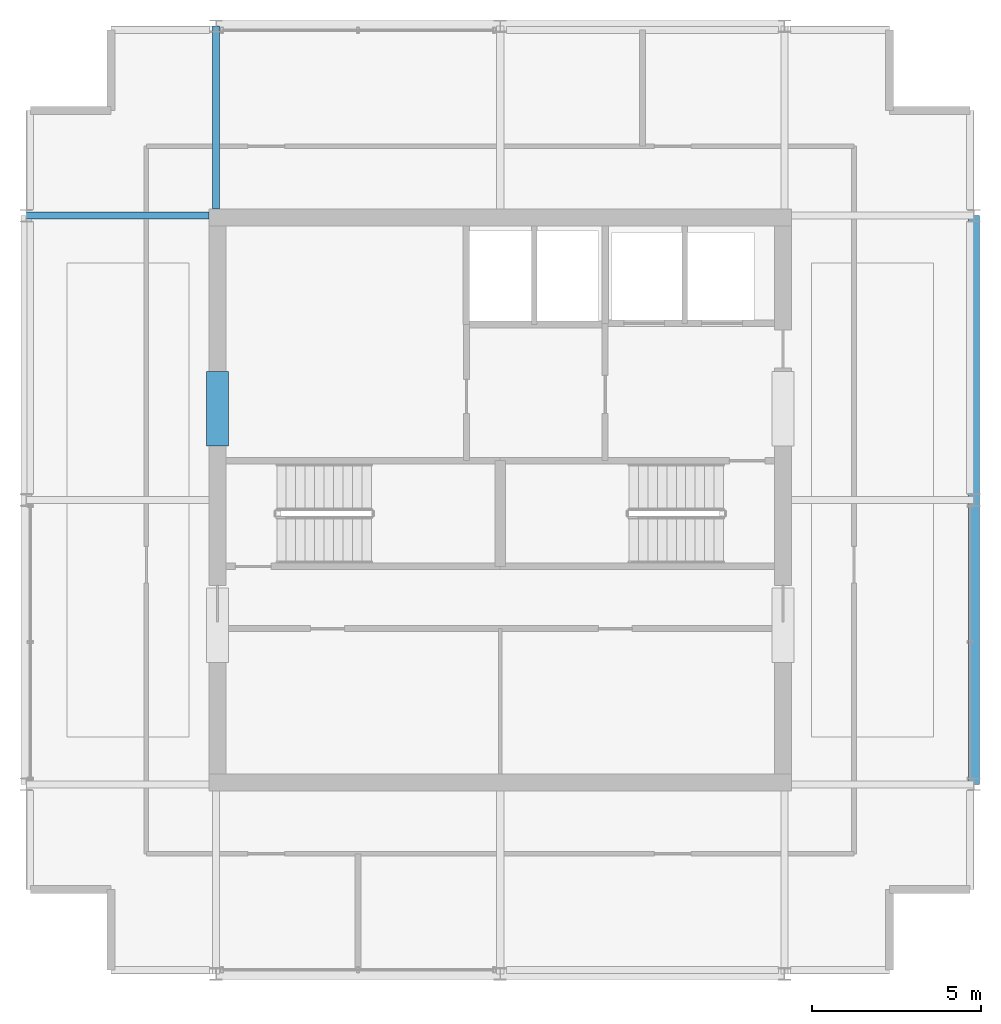
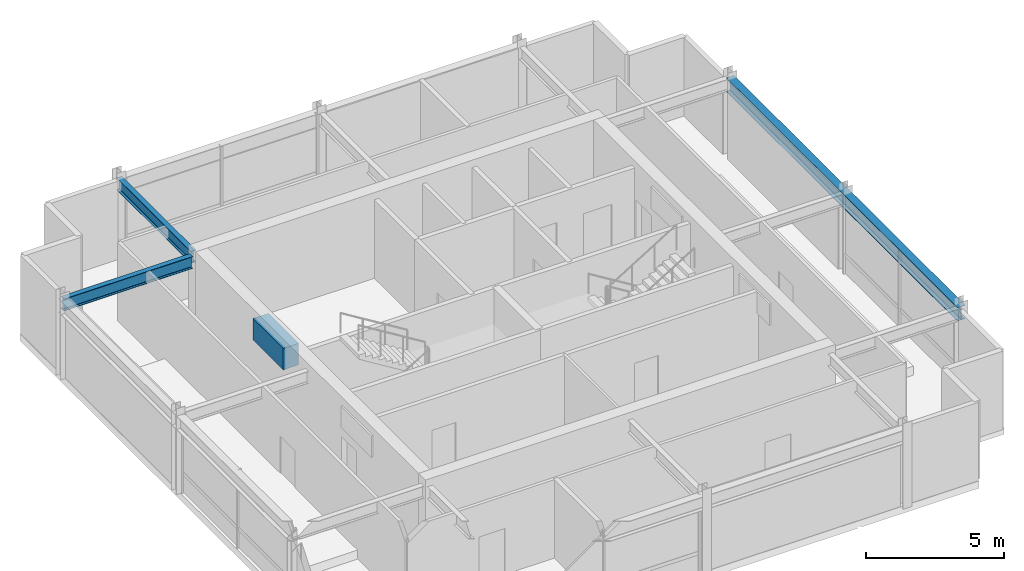
# One storey, part 7 of 12: 4 beams.
"""IFC4 building model written with IfcOpenShell, lengths in metres."""

from ifc_helpers import new_model, si_unit, direction, frame, origin, origin_2d, place, context, subcontext, project, spatial, rectangle, i_section, extrude, material, material_profile, profile_set, type_object, element, save


model = new_model("IFC4")

# Units and contexts
model_context = context("Model", 3, precision=1e-05, world=origin(), true_north=direction((0.0, 1.0)))
body_context = subcontext(model_context, "Body", "Model", "MODEL_VIEW")
ifc_project = project(units=[si_unit("LENGTHUNIT", "METRE"), si_unit("AREAUNIT", "SQUARE_METRE"), si_unit("VOLUMEUNIT", "CUBIC_METRE"), si_unit("PLANEANGLEUNIT", "RADIAN"), si_unit("MASSUNIT", "GRAM", prefix="KILO")], contexts=[model_context])

# Site, building, storey
site_placement = place(None, origin())
site = spatial("IfcSite", under=ifc_project, at=site_placement, CompositionType="ELEMENT")
building_placement = place(site_placement, origin())
building = spatial("IfcBuilding", under=site, at=building_placement, Name="Drelvath Grand Hotel", CompositionType="ELEMENT")
storey_placement = place(building_placement, frame((0.0, 0.0, 319.39990234375)))
storey = spatial("IfcBuildingStorey", under=building, at=storey_placement, Name="L83", CompositionType="ELEMENT", Elevation=319.39990234375)

# Beams
ifc_material_1 = material(Name="Concrete f'c 55 MPa", Category="concrete")
ifc_material_profile_1 = material_profile(ifc_material_1, rectangle(XDim=0.64990234375, YDim=0.949951171875, at=origin_2d()), Name="CB650X950")
ifc_profile_set_1 = profile_set([ifc_material_profile_1], Name="Concrete f'c 55 MPa")
beam_type_1 = type_object("IfcBeamType", Name="Core Coupling Lintel CB650X950", PredefinedType="LINTEL", material=ifc_profile_set_1)
beam_1_placement = place(storey_placement, frame((-8.35009765625, 28.60009765625, 3.005126953125), z_axis=(0.0, 1.0, 0.0), x_axis=(-1.0, 0.0, 0.0)))
element("IfcBeam", 1, at=beam_1_placement, inside=storey, type_object=beam_type_1, Name="L83 Core Coupling Lintel WN", PredefinedType="LINTEL", context=body_context, shape_type="SweptSolid", body=[
    extrude(rectangle(XDim=0.64990234375, YDim=0.949951171875, at=origin_2d()), origin(), (0.0, 0.0, 1.0), 2.199951171875),
])
ifc_material_2 = material(Name="Steel ASTM A992 Gr 50", Category="steel")
ifc_material_profile_2 = material_profile(ifc_material_2, i_section(OverallWidth=0.210205078125, OverallDepth=0.53662109375, WebThickness=0.010986328125, FlangeThickness=0.017333984375, FilletRadius=0.01806640625, at=origin_2d()), Name="W21X68")
ifc_profile_set_2 = profile_set([ifc_material_profile_2], Name="Steel ASTM A992 Gr 50")
beam_type_2 = type_object("IfcBeamType", Name="Primary Floor Girder W21X68", PredefinedType="BEAM", material=ifc_profile_set_2)
for number, where, z_axis, x_axis, name in (
    (2, (-14.0, 35.39990234375, 3.211669921875), (1.0, 0.0, 0.0), (0.0, 1.0, 0.0), "L83 Crown Drum Tie West F"),
    (3, (-8.39990234375, 35.60009765625, 3.211669921875), (0.0, 1.0, 0.0), (-1.0, 0.0, 0.0), "L83 Crown Drum Tie North 4"),
):
    element("IfcBeam", number, at=place(storey_placement, frame(where, z_axis=z_axis, x_axis=x_axis)), inside=storey, type_object=beam_type_2, Name=name, PredefinedType="BEAM", context=body_context, shape_type="SweptSolid", body=[
        extrude(i_section(OverallWidth=0.210205078125, OverallDepth=0.53662109375, WebThickness=0.010986328125, FlangeThickness=0.017333984375, FilletRadius=0.01806640625, at=origin_2d()), origin(), (0.0, 0.0, 1.0), 5.39990234375),
    ])
ifc_material_profile_3 = material_profile(ifc_material_2, i_section(OverallWidth=0.323974609375, OverallDepth=0.611083984375, WebThickness=0.0126953125, FlangeThickness=0.01904296875, FilletRadius=0.02197265625, at=origin_2d()), Name="W24X104")
ifc_profile_set_3 = profile_set([ifc_material_profile_3], Name="Steel ASTM A992 Gr 50")
beam_type_3 = type_object("IfcBeamType", Name="Primary Floor Girder W24X104", PredefinedType="BEAM", material=ifc_profile_set_3)
beam_2_placement = place(storey_placement, frame((14.0, 18.60009765625, 3.174560546875), z_axis=(0.0, 1.0, 0.0), x_axis=(-1.0, 0.0, 0.0)))
element("IfcBeam", 4, at=beam_2_placement, inside=storey, type_object=beam_type_3, Name="L83 Crown Drum Ring Beam East", PredefinedType="BEAM", context=body_context, shape_type="SweptSolid", body=[
    extrude(i_section(OverallWidth=0.323974609375, OverallDepth=0.611083984375, WebThickness=0.0126953125, FlangeThickness=0.01904296875, FilletRadius=0.02197265625, at=origin_2d()), origin(), (0.0, 0.0, 1.0), 16.7998046875),
])

save(model, "model.ifc")
